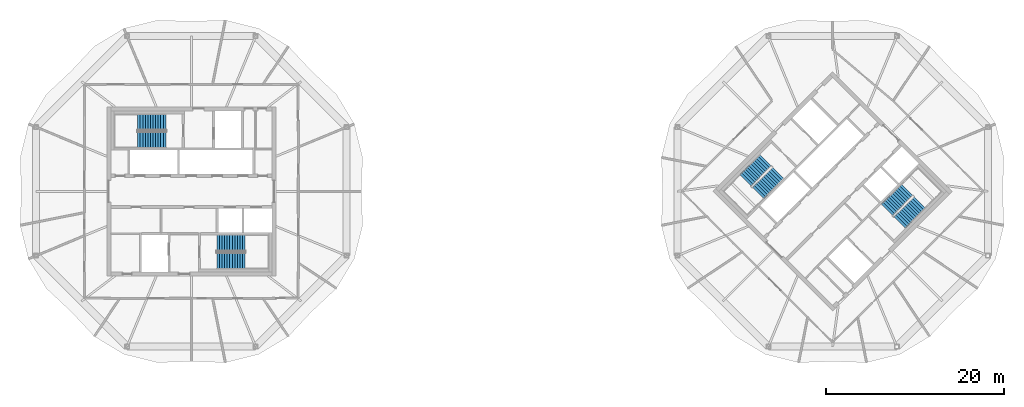
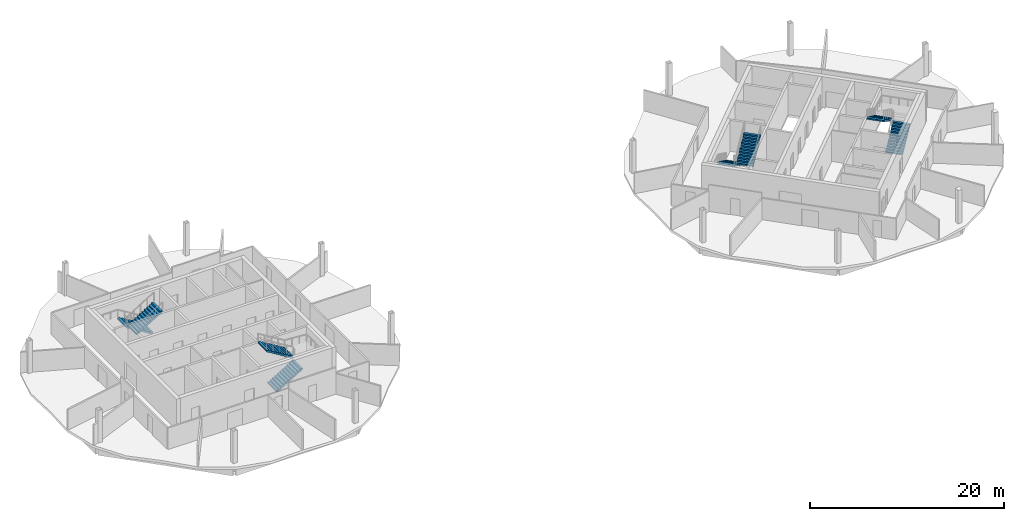
# One storey, part 9 of 10: 8 stair flights, 4 elements without a shape of their own.
"""IFC4 building model written with IfcOpenShell, lengths in metres."""

from ifc_helpers import new_model, si_unit, direction, frame, origin, place, context, subcontext, project, spatial, polyline, outline, extrude, material, type_object, element, aggregate, save


model = new_model("IFC4")

# Units and contexts
model_context = context("Model", 3, precision=1e-05, world=origin(), true_north=direction((0.0, 1.0)))
body_context = subcontext(model_context, "Body", "Model", "MODEL_VIEW")
ifc_project = project(units=[si_unit("LENGTHUNIT", "METRE"), si_unit("AREAUNIT", "SQUARE_METRE"), si_unit("VOLUMEUNIT", "CUBIC_METRE"), si_unit("PLANEANGLEUNIT", "RADIAN"), si_unit("MASSUNIT", "GRAM", prefix="KILO")], contexts=[model_context])

# Site, building, storey
site_placement = place(None, origin())
site = spatial("IfcSite", under=ifc_project, at=site_placement, CompositionType="ELEMENT")
building_placement = place(site_placement, origin())
building = spatial("IfcBuilding", under=site, at=building_placement, Name="Ogive Gate Towers", CompositionType="ELEMENT")
storey_placement = place(building_placement, frame((0.0, 0.0, 264.60009765625)))
storey = spatial("IfcBuildingStorey", under=building, at=storey_placement, Name="L62", CompositionType="ELEMENT", Elevation=264.60009765625)

# Stair, stair flights
ifc_material = material(Name="Concrete C40/50", Category="concrete")
stair_type = type_object("IfcStairType", Name="Escape stair 1840 wide", PredefinedType="HALF_TURN_STAIR", material=ifc_material)
stair_1_placement = place(storey_placement, origin())
stair_1 = element("IfcStair", 1, at=stair_1_placement, inside=storey, type_object=stair_type, Name="L62 Escape stair 1", PredefinedType="HALF_TURN_STAIR")
stair_flight_type = type_object("IfcStairFlightType", Name="Stair flight 1840 wide", PredefinedType="STRAIGHT", material=ifc_material)
stair_flight_1_placement = place(storey_placement, frame((-38.864990234375, 7.780029296875, 0.0), z_axis=(0.0, 0.0, 1.0), x_axis=(-1.0, 0.0, 0.0)))
stair_flight_1 = element("IfcStairFlight", 2, at=stair_flight_1_placement, type_object=stair_flight_type, Name="ST1 flight 1", NumberOfRisers=12, NumberOfTreads=11, PredefinedType="STRAIGHT", RiserHeight=0.175, TreadLength=0.2875, context=body_context, shape_type="SweptSolid", body=[
    extrude(outline(polyline([(0.0, 0.0), (0.0, 0.175048828125), (0.28759765625, 0.175048828125), (0.28759765625, 0.35009765625), (0.574951171875, 0.35009765625), (0.574951171875, 0.52490234375), (0.862548828125, 0.52490234375), (0.862548828125, 0.699951171875), (1.14990234375, 0.699951171875), (1.14990234375, 0.875), (1.4375, 0.875), (1.4375, 1.050048828125), (1.72509765625, 1.050048828125), (1.72509765625, 1.22509765625), (2.012451171875, 1.22509765625), (2.012451171875, 1.39990234375), (2.300048828125, 1.39990234375), (2.300048828125, 1.574951171875), (2.58740234375, 1.574951171875), (2.58740234375, 1.75), (2.875, 1.75), (2.875, 1.925048828125), (3.16259765625, 1.925048828125), (3.16259765625, 2.10009765625), (3.16259765625, 1.74951171875), (0.288330078125, 0.0), (0.0, 0.0)])), frame((0.0, 0.919921875, 0.0), z_axis=(0.0, -1.0, 0.0), x_axis=(1.0, 0.0, 0.0)), (0.0, 0.0, 1.0), 1.840087890625),
])
stair_flight_2_placement = place(storey_placement, frame((-42.027587890625, 5.794921875, 2.099853515625), z_axis=(0.0, 0.0, 1.0), x_axis=(1.0, 0.0, 0.0)))
stair_flight_2 = element("IfcStairFlight", 3, at=stair_flight_2_placement, type_object=stair_flight_type, Name="ST1 flight 2", NumberOfRisers=12, NumberOfTreads=11, PredefinedType="STRAIGHT", RiserHeight=0.175, TreadLength=0.2875, context=body_context, shape_type="SweptSolid", body=[
    extrude(outline(polyline([(0.0, 0.0), (0.0, 0.175048828125), (0.28759765625, 0.175048828125), (0.28759765625, 0.35009765625), (0.574951171875, 0.35009765625), (0.574951171875, 0.52490234375), (0.862548828125, 0.52490234375), (0.862548828125, 0.699951171875), (1.14990234375, 0.699951171875), (1.14990234375, 0.875), (1.4375, 0.875), (1.4375, 1.050048828125), (1.72509765625, 1.050048828125), (1.72509765625, 1.22509765625), (2.012451171875, 1.22509765625), (2.012451171875, 1.39990234375), (2.300048828125, 1.39990234375), (2.300048828125, 1.574951171875), (2.58740234375, 1.574951171875), (2.58740234375, 1.75), (2.875, 1.75), (2.875, 1.925048828125), (3.16259765625, 1.925048828125), (3.16259765625, 2.10009765625), (3.16259765625, 1.74951171875), (0.288330078125, 0.0), (0.0, 0.0)])), frame((0.0, 0.919921875, 0.0), z_axis=(0.0, -1.0, 0.0), x_axis=(1.0, 0.0, 0.0)), (0.0, 0.0, 1.0), 1.840087890625),
])
aggregate(stair_1, [stair_flight_1, stair_flight_2])

stair_2_placement = place(storey_placement, origin())
stair_2 = element("IfcStair", 4, at=stair_2_placement, inside=storey, type_object=stair_type, Name="L62 Escape stair 2", PredefinedType="HALF_TURN_STAIR")
stair_flight_3_placement = place(storey_placement, frame((-33.135009765625, -7.780029296875, 0.0), z_axis=(0.0, 0.0, 1.0), x_axis=(1.0, 0.0, 0.0)))
stair_flight_3 = element("IfcStairFlight", 5, at=stair_flight_3_placement, type_object=stair_flight_type, Name="ST2 flight 1", NumberOfRisers=12, NumberOfTreads=11, PredefinedType="STRAIGHT", RiserHeight=0.175, TreadLength=0.2875, context=body_context, shape_type="SweptSolid", body=[
    extrude(outline(polyline([(0.0, 0.0), (0.0, 0.175048828125), (0.28759765625, 0.175048828125), (0.28759765625, 0.35009765625), (0.574951171875, 0.35009765625), (0.574951171875, 0.52490234375), (0.862548828125, 0.52490234375), (0.862548828125, 0.699951171875), (1.14990234375, 0.699951171875), (1.14990234375, 0.875), (1.4375, 0.875), (1.4375, 1.050048828125), (1.72509765625, 1.050048828125), (1.72509765625, 1.22509765625), (2.012451171875, 1.22509765625), (2.012451171875, 1.39990234375), (2.300048828125, 1.39990234375), (2.300048828125, 1.574951171875), (2.58740234375, 1.574951171875), (2.58740234375, 1.75), (2.875, 1.75), (2.875, 1.925048828125), (3.16259765625, 1.925048828125), (3.16259765625, 2.10009765625), (3.16259765625, 1.74951171875), (0.288330078125, 0.0), (0.0, 0.0)])), frame((0.0, 0.919921875, 0.0), z_axis=(0.0, -1.0, 0.0), x_axis=(1.0, 0.0, 0.0)), (0.0, 0.0, 1.0), 1.840087890625),
])
stair_flight_4_placement = place(storey_placement, frame((-29.972412109375, -5.794921875, 2.099853515625), z_axis=(0.0, 0.0, 1.0), x_axis=(-1.0, 0.0, 0.0)))
stair_flight_4 = element("IfcStairFlight", 6, at=stair_flight_4_placement, type_object=stair_flight_type, Name="ST2 flight 2", NumberOfRisers=12, NumberOfTreads=11, PredefinedType="STRAIGHT", RiserHeight=0.175, TreadLength=0.2875, context=body_context, shape_type="SweptSolid", body=[
    extrude(outline(polyline([(0.0, 0.0), (0.0, 0.175048828125), (0.28759765625, 0.175048828125), (0.28759765625, 0.35009765625), (0.574951171875, 0.35009765625), (0.574951171875, 0.52490234375), (0.862548828125, 0.52490234375), (0.862548828125, 0.699951171875), (1.14990234375, 0.699951171875), (1.14990234375, 0.875), (1.4375, 0.875), (1.4375, 1.050048828125), (1.72509765625, 1.050048828125), (1.72509765625, 1.22509765625), (2.012451171875, 1.22509765625), (2.012451171875, 1.39990234375), (2.300048828125, 1.39990234375), (2.300048828125, 1.574951171875), (2.58740234375, 1.574951171875), (2.58740234375, 1.75), (2.875, 1.75), (2.875, 1.925048828125), (3.16259765625, 1.925048828125), (3.16259765625, 2.10009765625), (3.16259765625, 1.74951171875), (0.288330078125, 0.0), (0.0, 0.0)])), frame((0.0, 0.919921875, 0.0), z_axis=(0.0, -1.0, 0.0), x_axis=(1.0, 0.0, 0.0)), (0.0, 0.0, 1.0), 1.840087890625),
])
aggregate(stair_2, [stair_flight_3, stair_flight_4])

stair_3_placement = place(storey_placement, origin())
stair_3 = element("IfcStair", 7, at=stair_3_placement, inside=storey, type_object=stair_type, Name="L62 Escape stair 1", PredefinedType="HALF_TURN_STAIR")
stair_flight_5_placement = place(storey_placement, frame((28.472900390625, 3.475341796875, 0.0), z_axis=(0.0, 0.0, 1.0), x_axis=(-0.707106781187, -0.707106781187, 0.0)))
stair_flight_5 = element("IfcStairFlight", 8, at=stair_flight_5_placement, type_object=stair_flight_type, Name="ST1 flight 1", NumberOfRisers=12, NumberOfTreads=11, PredefinedType="STRAIGHT", RiserHeight=0.175, TreadLength=0.2875, context=body_context, shape_type="SweptSolid", body=[
    extrude(outline(polyline([(0.0, 0.0), (0.0, 0.175048828125), (0.28759765625, 0.175048828125), (0.28759765625, 0.35009765625), (0.574951171875, 0.35009765625), (0.574951171875, 0.52490234375), (0.862548828125, 0.52490234375), (0.862548828125, 0.699951171875), (1.14990234375, 0.699951171875), (1.14990234375, 0.875), (1.4375, 0.875), (1.4375, 1.050048828125), (1.72509765625, 1.050048828125), (1.72509765625, 1.22509765625), (2.012451171875, 1.22509765625), (2.012451171875, 1.39990234375), (2.300048828125, 1.39990234375), (2.300048828125, 1.574951171875), (2.58740234375, 1.574951171875), (2.58740234375, 1.75), (2.875, 1.75), (2.875, 1.925048828125), (3.16259765625, 1.925048828125), (3.16259765625, 2.10009765625), (3.16259765625, 1.74951171875), (0.288330078125, 0.0), (0.0, 0.0)])), frame((0.0, 0.919921875, 0.0), z_axis=(0.0, -1.0, 0.0), x_axis=(1.0, 0.0, 0.0)), (0.0, 0.0, 1.0), 1.840087890625),
])
stair_flight_6_placement = place(storey_placement, frame((27.64013671875, -0.164306640625, 2.099853515625), z_axis=(0.0, 0.0, 1.0), x_axis=(0.707106781187, 0.707106781187, 0.0)))
stair_flight_6 = element("IfcStairFlight", 9, at=stair_flight_6_placement, type_object=stair_flight_type, Name="ST1 flight 2", NumberOfRisers=12, NumberOfTreads=11, PredefinedType="STRAIGHT", RiserHeight=0.175, TreadLength=0.2875, context=body_context, shape_type="SweptSolid", body=[
    extrude(outline(polyline([(0.0, 0.0), (0.0, 0.175048828125), (0.28759765625, 0.175048828125), (0.28759765625, 0.35009765625), (0.574951171875, 0.35009765625), (0.574951171875, 0.52490234375), (0.862548828125, 0.52490234375), (0.862548828125, 0.699951171875), (1.14990234375, 0.699951171875), (1.14990234375, 0.875), (1.4375, 0.875), (1.4375, 1.050048828125), (1.72509765625, 1.050048828125), (1.72509765625, 1.22509765625), (2.012451171875, 1.22509765625), (2.012451171875, 1.39990234375), (2.300048828125, 1.39990234375), (2.300048828125, 1.574951171875), (2.58740234375, 1.574951171875), (2.58740234375, 1.75), (2.875, 1.75), (2.875, 1.925048828125), (3.16259765625, 1.925048828125), (3.16259765625, 2.10009765625), (3.16259765625, 1.74951171875), (0.288330078125, 0.0), (0.0, 0.0)])), frame((0.0, 0.919921875, 0.0), z_axis=(0.0, -1.0, 0.0), x_axis=(1.0, 0.0, 0.0)), (0.0, 0.0, 1.0), 1.840087890625),
])
aggregate(stair_3, [stair_flight_5, stair_flight_6])

stair_4_placement = place(storey_placement, origin())
stair_4 = element("IfcStair", 10, at=stair_4_placement, inside=storey, type_object=stair_type, Name="L62 Escape stair 2", PredefinedType="HALF_TURN_STAIR")
stair_flight_7_placement = place(storey_placement, frame((43.527099609375, -3.475341796875, 0.0), z_axis=(0.0, 0.0, 1.0), x_axis=(0.707106781187, 0.707106781187, 0.0)))
stair_flight_7 = element("IfcStairFlight", 11, at=stair_flight_7_placement, type_object=stair_flight_type, Name="ST2 flight 1", NumberOfRisers=12, NumberOfTreads=11, PredefinedType="STRAIGHT", RiserHeight=0.175, TreadLength=0.2875, context=body_context, shape_type="SweptSolid", body=[
    extrude(outline(polyline([(0.0, 0.0), (0.0, 0.175048828125), (0.28759765625, 0.175048828125), (0.28759765625, 0.35009765625), (0.574951171875, 0.35009765625), (0.574951171875, 0.52490234375), (0.862548828125, 0.52490234375), (0.862548828125, 0.699951171875), (1.14990234375, 0.699951171875), (1.14990234375, 0.875), (1.4375, 0.875), (1.4375, 1.050048828125), (1.72509765625, 1.050048828125), (1.72509765625, 1.22509765625), (2.012451171875, 1.22509765625), (2.012451171875, 1.39990234375), (2.300048828125, 1.39990234375), (2.300048828125, 1.574951171875), (2.58740234375, 1.574951171875), (2.58740234375, 1.75), (2.875, 1.75), (2.875, 1.925048828125), (3.16259765625, 1.925048828125), (3.16259765625, 2.10009765625), (3.16259765625, 1.74951171875), (0.288330078125, 0.0), (0.0, 0.0)])), frame((0.0, 0.919921875, 0.0), z_axis=(0.0, -1.0, 0.0), x_axis=(1.0, 0.0, 0.0)), (0.0, 0.0, 1.0), 1.840087890625),
])
stair_flight_8_placement = place(storey_placement, frame((44.35986328125, 0.164306640625, 2.099853515625), z_axis=(0.0, 0.0, 1.0), x_axis=(-0.707106781187, -0.707106781187, 0.0)))
stair_flight_8 = element("IfcStairFlight", 12, at=stair_flight_8_placement, type_object=stair_flight_type, Name="ST2 flight 2", NumberOfRisers=12, NumberOfTreads=11, PredefinedType="STRAIGHT", RiserHeight=0.175, TreadLength=0.2875, context=body_context, shape_type="SweptSolid", body=[
    extrude(outline(polyline([(0.0, 0.0), (0.0, 0.175048828125), (0.28759765625, 0.175048828125), (0.28759765625, 0.35009765625), (0.574951171875, 0.35009765625), (0.574951171875, 0.52490234375), (0.862548828125, 0.52490234375), (0.862548828125, 0.699951171875), (1.14990234375, 0.699951171875), (1.14990234375, 0.875), (1.4375, 0.875), (1.4375, 1.050048828125), (1.72509765625, 1.050048828125), (1.72509765625, 1.22509765625), (2.012451171875, 1.22509765625), (2.012451171875, 1.39990234375), (2.300048828125, 1.39990234375), (2.300048828125, 1.574951171875), (2.58740234375, 1.574951171875), (2.58740234375, 1.75), (2.875, 1.75), (2.875, 1.925048828125), (3.16259765625, 1.925048828125), (3.16259765625, 2.10009765625), (3.16259765625, 1.74951171875), (0.288330078125, 0.0), (0.0, 0.0)])), frame((0.0, 0.919921875, 0.0), z_axis=(0.0, -1.0, 0.0), x_axis=(1.0, 0.0, 0.0)), (0.0, 0.0, 1.0), 1.840087890625),
])
aggregate(stair_4, [stair_flight_7, stair_flight_8])

save(model, "model.ifc")
